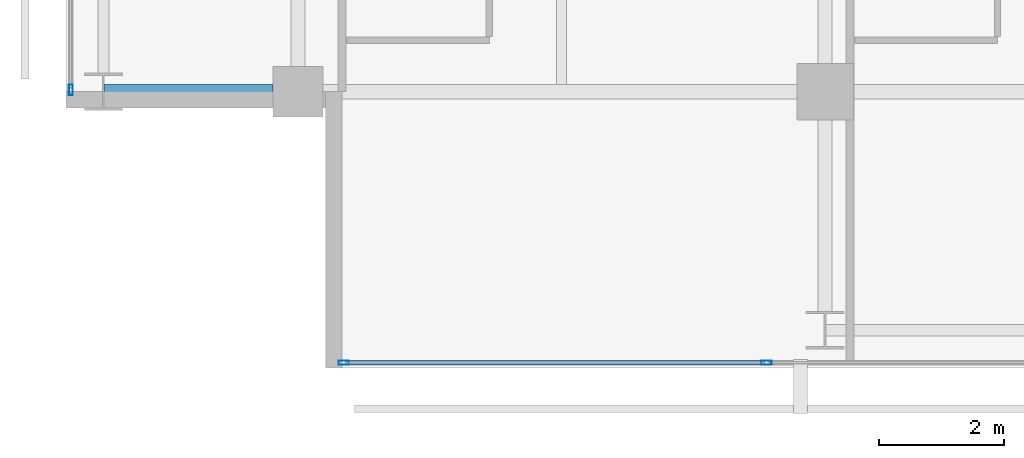
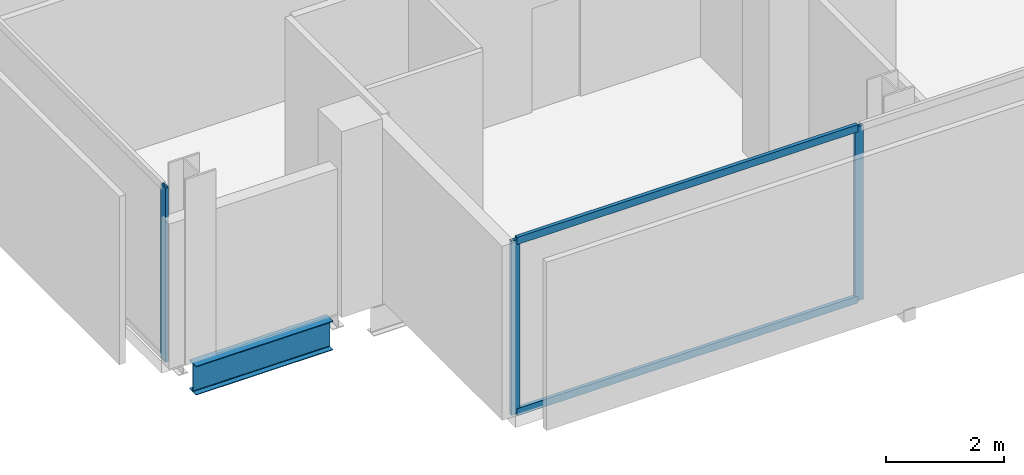
# One storey, part 2 of 34: 5 members, 1 beam, 2 elements without a shape of their own.
"""IFC4 building model written with IfcOpenShell, lengths in metres."""

from ifc_helpers import new_model, si_unit, direction, frame, origin, origin_2d, place, context, subcontext, project, spatial, hollow_rectangle, i_section, extrude, material, layer, layer_set, material_profile, profile_set, type_object, element, aggregate, save


model = new_model("IFC4")

# Units and contexts
model_context = context("Model", 3, precision=1e-05, world=origin(), true_north=direction((0.0, 1.0)))
body_context = subcontext(model_context, "Body", "Model", "MODEL_VIEW")
ifc_project = project(units=[si_unit("LENGTHUNIT", "METRE"), si_unit("AREAUNIT", "SQUARE_METRE"), si_unit("VOLUMEUNIT", "CUBIC_METRE"), si_unit("PLANEANGLEUNIT", "RADIAN"), si_unit("MASSUNIT", "GRAM", prefix="KILO")], contexts=[model_context])

# Site, building, storey
site_placement = place(None, origin())
site = spatial("IfcSite", under=ifc_project, at=site_placement, CompositionType="ELEMENT")
building_placement = place(site_placement, origin())
building = spatial("IfcBuilding", under=site, at=building_placement, Name="Maruvema Waterfront Hotel and Observation Tower", CompositionType="ELEMENT")
storey_placement = place(building_placement, frame((0.0, 0.0, 177.449951171875)))
storey = spatial("IfcBuildingStorey", under=building, at=storey_placement, Name="L43", CompositionType="ELEMENT", Elevation=177.449951171875)

# Curtain wall, members
ifc_material_1 = material(Name="Anodised bronze aluminium and solar-control low-E IGU", Category="aluminium")
ifc_layer = layer(ifc_material_1, 0.159912109375, Name="Zone 2 Amber Inner Thermal Curtain Wall System CW-03")
ifc_layer_set = layer_set([ifc_layer], Name="Anodised bronze aluminium and solar-control low-E IGU")
curtain_wall_type = type_object("IfcCurtainWallType", Name="Zone 2 Amber Inner Thermal Curtain Wall System CW-03", PredefinedType="USERDEFINED", material=ifc_layer_set)
curtain_wall_1_placement = place(storey_placement, origin())
curtain_wall_1 = element("IfcCurtainWall", 1, at=curtain_wall_1_placement, inside=storey, type_object=curtain_wall_type, Name="L43 Curtain Wall CW-L43-S", ObjectType="UNITISED CURTAIN WALL", PredefinedType="USERDEFINED")
ifc_material_2 = material(Name="Anodised architectural bronze aluminium", Category="aluminium")
ifc_material_profile_1 = material_profile(ifc_material_2, hollow_rectangle(XDim=0.070068359375, YDim=0.14990234375, WallThickness=0.00390625, at=origin_2d()), Name="ALU-T70x150")
ifc_profile_set_1 = profile_set([ifc_material_profile_1], Name="Anodised architectural bronze aluminium")
member_type_1 = type_object("IfcMemberType", Name="Curtain Wall Horizontal Transom ALU-T70x150", PredefinedType="USERDEFINED", material=ifc_profile_set_1)
member_1_placement = place(storey_placement, frame((17.56005859375, 4.679931640625, 0.030029296875), z_axis=(1.0, 0.0, 0.0), x_axis=(0.0, 1.0, 0.0)))
member_1 = element("IfcMember", 2, at=member_1_placement, type_object=member_type_1, Name="CW-03 transom 1.1", ObjectType="TRANSOM", PredefinedType="USERDEFINED", context=body_context, shape_type="SweptSolid", body=[
    extrude(hollow_rectangle(XDim=0.070068359375, YDim=0.14990234375, WallThickness=0.00390625, at=origin_2d()), origin(), (0.0, 0.0, 1.0), 6.676513671875),
])
member_2_placement = place(storey_placement, frame((17.56005859375, 4.679931640625, 3.580078125), z_axis=(1.0, 0.0, 0.0), x_axis=(0.0, 1.0, 0.0)))
member_2 = element("IfcMember", 3, at=member_2_placement, type_object=member_type_1, Name="CW-03 transom 1.2", ObjectType="TRANSOM", PredefinedType="USERDEFINED", context=body_context, shape_type="SweptSolid", body=[
    extrude(hollow_rectangle(XDim=0.070068359375, YDim=0.14990234375, WallThickness=0.00390625, at=origin_2d()), origin(), (0.0, 0.0, 1.0), 6.676513671875),
])
ifc_material_3 = material(Name="Anodised architectural bronze aluminium", Category="aluminium")
ifc_material_profile_2 = material_profile(ifc_material_3, hollow_rectangle(XDim=0.06494140625, YDim=0.1650390625, WallThickness=0.00390625, at=origin_2d()), Name="ALU-M65x165")
ifc_profile_set_2 = profile_set([ifc_material_profile_2], Name="Anodised architectural bronze aluminium")
member_type_2 = type_object("IfcMemberType", Name="Curtain Wall Primary Mullion ALU-M65x165", PredefinedType="MULLION", material=ifc_profile_set_2)
member_3_placement = place(storey_placement, frame((17.530029296875, 4.679931640625, 0.0), z_axis=(0.0, 0.0, 1.0), x_axis=(0.0, 1.0, 0.0)))
member_3 = element("IfcMember", 4, at=member_3_placement, type_object=member_type_2, Name="CW-03 mullion 1", PredefinedType="MULLION", context=body_context, shape_type="SweptSolid", body=[
    extrude(hollow_rectangle(XDim=0.06494140625, YDim=0.1650390625, WallThickness=0.00390625, at=origin_2d()), origin(), (0.0, 0.0, 1.0), 3.610107421875),
])
member_4_placement = place(storey_placement, frame((24.2666015625, 4.679931640625, 0.0), z_axis=(0.0, 0.0, 1.0), x_axis=(0.0, 1.0, 0.0)))
member_4 = element("IfcMember", 5, at=member_4_placement, type_object=member_type_2, Name="CW-03 mullion 2", PredefinedType="MULLION", context=body_context, shape_type="SweptSolid", body=[
    extrude(hollow_rectangle(XDim=0.06494140625, YDim=0.1650390625, WallThickness=0.00390625, at=origin_2d()), origin(), (0.0, 0.0, 1.0), 3.610107421875),
])
aggregate(curtain_wall_1, [member_3, member_4, member_1, member_2])

# Curtain wall, member
curtain_wall_2_placement = place(storey_placement, origin())
curtain_wall_2 = element("IfcCurtainWall", 6, at=curtain_wall_2_placement, inside=storey, type_object=curtain_wall_type, Name="L43 Curtain Wall CW-L43-W", ObjectType="UNITISED CURTAIN WALL", PredefinedType="USERDEFINED")
member_5_placement = place(storey_placement, frame((13.179931640625, 9.030029296875, 0.0), z_axis=(0.0, 0.0, 1.0), x_axis=(1.0, 0.0, 0.0)))
member_5 = element("IfcMember", 7, at=member_5_placement, type_object=member_type_2, Name="CW-03 mullion 7", PredefinedType="MULLION", context=body_context, shape_type="SweptSolid", body=[
    extrude(hollow_rectangle(XDim=0.06494140625, YDim=0.1650390625, WallThickness=0.00390625, at=origin_2d()), origin(), (0.0, 0.0, 1.0), 3.610107421875),
])
aggregate(curtain_wall_2, [member_5])

# Beam
ifc_material_4 = material(Name="Steel ASTM A572 Grade 50", Category="steel")
ifc_material_profile_3 = material_profile(ifc_material_4, i_section(OverallWidth=0.22802734375, OverallDepth=0.60302734375, WebThickness=0.010498046875, FlangeThickness=0.014892578125, FilletRadius=0.01806640625, at=origin_2d()), Name="W610x101.0")
ifc_profile_set_3 = profile_set([ifc_material_profile_3], Name="Steel ASTM A572 Grade 50")
beam_type = type_object("IfcBeamType", Name="Primary Floor Girder W610x101.0", PredefinedType="BEAM", material=ifc_profile_set_3)
beam_placement = place(storey_placement, frame((13.71240234375, 9.0, -0.54150390625), z_axis=(1.0, 0.0, 0.0), x_axis=(0.0, 1.0, 0.0)))
element("IfcBeam", 8, at=beam_placement, inside=storey, type_object=beam_type, Name="L43 Floor Girder EW-04", PredefinedType="BEAM", context=body_context, shape_type="SweptSolid", body=[
    extrude(i_section(OverallWidth=0.22802734375, OverallDepth=0.60302734375, WebThickness=0.010498046875, FlangeThickness=0.014892578125, FilletRadius=0.01806640625, at=origin_2d()), origin(), (0.0, 0.0, 1.0), 2.6875),
])

save(model, "model.ifc")
